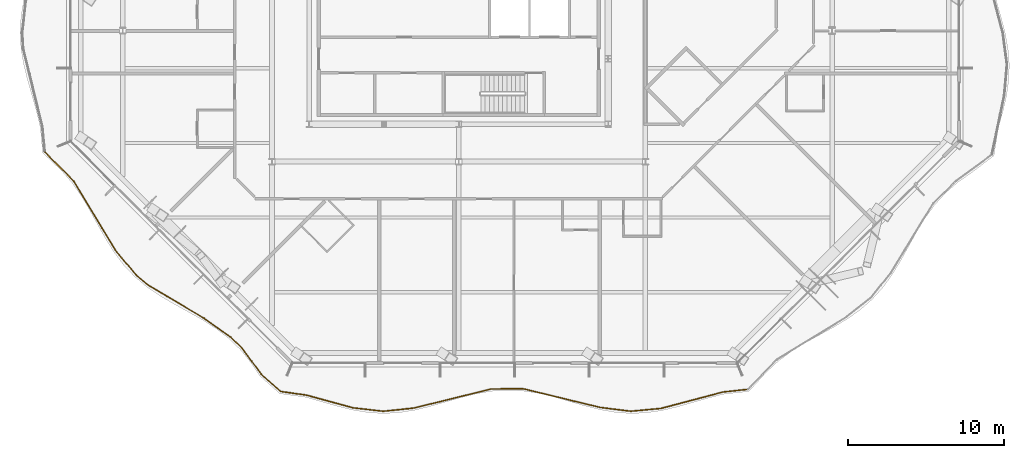
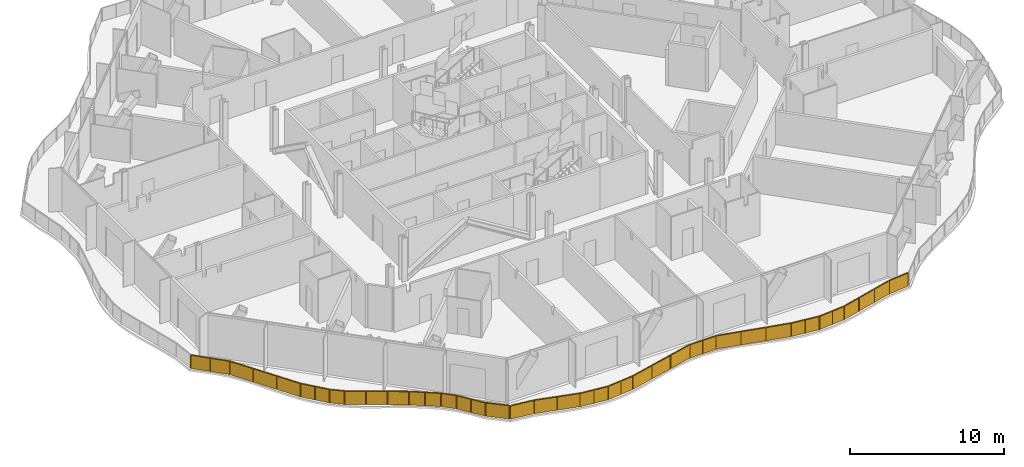
# One storey, part 14 of 19: 2 railings.
"""IFC4 building model written with IfcOpenShell, lengths in metres."""

from ifc_helpers import new_model, si_unit, direction, frame, origin, origin_2d, place, context, subcontext, project, spatial, polyline, rectangle, outline, extrude, material, type_object, element, save


model = new_model("IFC4")

# Units and contexts
model_context = context("Model", 3, precision=1e-05, world=origin(), true_north=direction((0.0, 1.0)))
body_context = subcontext(model_context, "Body", "Model", "MODEL_VIEW")
ifc_project = project(units=[si_unit("LENGTHUNIT", "METRE"), si_unit("AREAUNIT", "SQUARE_METRE"), si_unit("VOLUMEUNIT", "CUBIC_METRE"), si_unit("PLANEANGLEUNIT", "RADIAN"), si_unit("MASSUNIT", "GRAM", prefix="KILO")], contexts=[model_context])

# Site, building, storey
site_placement = place(None, origin())
site = spatial("IfcSite", under=ifc_project, at=site_placement, CompositionType="ELEMENT")
building_placement = place(site_placement, origin())
building = spatial("IfcBuilding", under=site, at=building_placement, Name="Cairn Pilgrim Tower", CompositionType="ELEMENT")
storey_placement = place(building_placement, frame((0.0, 0.0, 186.60009765625)))
storey = spatial("IfcBuildingStorey", under=building, at=storey_placement, Name="L47", CompositionType="ELEMENT", Elevation=186.60009765625)

# Railings
ifc_material = material(Name="Bronze anodised aluminium rail and posts with laminated glass infill", Category="aluminium")
railing_type = type_object("IfcRailingType", Name="BALCONY GUARD 1100", PredefinedType="GUARDRAIL", material=ifc_material)
railing_1_placement = place(storey_placement, frame((-19.402587890625, -7.773681640625, 0.0)))
element("IfcRailing", 1, at=railing_1_placement, inside=storey, type_object=railing_type, Name="Balcony guard BG-2", PredefinedType="GUARDRAIL", context=body_context, shape_type="SweptSolid", body=[
    extrude(rectangle(XDim=0.050048828125, YDim=0.050048828125, at=origin_2d()), frame((0.0, 0.0, 1.0751953125), z_axis=(0.700281137427, -0.713867164509, 0.0), x_axis=(0.713867164509, 0.700281137427, 0.0)), (0.0, 0.0, 1.0), 2.6416015625),
    extrude(rectangle(XDim=0.050048828125, YDim=0.050048828125, at=origin_2d()), frame((1.849853515625, -1.8857421875, 1.0751953125), z_axis=(0.51782328521, -0.855487606745, 0.0), x_axis=(0.855487606745, 0.51782328521, 0.0)), (0.0, 0.0, 1.0), 5.24853515625),
    extrude(rectangle(XDim=0.050048828125, YDim=0.050048828125, at=origin_2d()), frame((4.567626953125, -6.375732421875, 1.0751953125), z_axis=(0.645237285617, -0.76398222836, 0.0), x_axis=(0.76398222836, 0.645237285617, 0.0)), (0.0, 0.0, 1.0), 2.01904296875),
    extrude(rectangle(XDim=0.050048828125, YDim=0.050048828125, at=origin_2d()), frame((5.870361328125, -7.918212890625, 1.0751953125), z_axis=(0.76544431834, -0.643502133269, 0.0), x_axis=(0.643502133269, 0.76544431834, 0.0)), (0.0, 0.0, 1.0), 0.9970703125),
    extrude(rectangle(XDim=0.050048828125, YDim=0.050048828125, at=origin_2d()), frame((6.633544921875, -8.559814453125, 1.0751953125), z_axis=(0.859712653932, -0.510777987652, 0.0), x_axis=(0.510777987652, 0.859712653932, 0.0)), (0.0, 0.0, 1.0), 4.196533203125),
    extrude(rectangle(XDim=0.050048828125, YDim=0.050048828125, at=origin_2d()), frame((10.241455078125, -10.703369140625, 1.0751953125), z_axis=(0.816431804481, -0.577441866019, 0.0), x_axis=(0.577441866019, 0.816431804481, 0.0)), (0.0, 0.0, 1.0), 2.083984375),
    extrude(rectangle(XDim=0.050048828125, YDim=0.050048828125, at=origin_2d()), frame((11.94287109375, -11.90673828125, 1.0751953125), z_axis=(0.715604870645, -0.698505310724, 0.0), x_axis=(0.698505310724, 0.715604870645, 0.0)), (0.0, 0.0, 1.0), 1.042236328125),
    extrude(rectangle(XDim=0.050048828125, YDim=0.050048828125, at=origin_2d()), frame((12.688720703125, -12.634765625, 1.0751953125), z_axis=(0.592834537406, -0.8053242895, 0.0), x_axis=(0.8053242895, 0.592834537406, 0.0)), (0.0, 0.0, 1.0), 2.056640625),
    extrude(rectangle(XDim=0.050048828125, YDim=0.050048828125, at=origin_2d()), frame((13.907958984375, -14.291015625, 1.0751953125), z_axis=(0.746380813607, -0.665519106472, 0.0), x_axis=(0.665519106472, 0.746380813607, 0.0)), (0.0, 0.0, 1.0), 1.6123046875),
    extrude(rectangle(XDim=0.050048828125, YDim=0.050048828125, at=origin_2d()), origin(), (0.0, 0.0, 1.0), 1.050048828125),
    extrude(rectangle(XDim=0.050048828125, YDim=0.050048828125, at=origin_2d()), frame((0.9248046875, -0.94287109375, 0.0)), (0.0, 0.0, 1.0), 1.050048828125),
    extrude(rectangle(XDim=0.050048828125, YDim=0.050048828125, at=origin_2d()), frame((1.849853515625, -1.8857421875, 0.0)), (0.0, 0.0, 1.0), 1.050048828125),
    extrude(rectangle(XDim=0.050048828125, YDim=0.050048828125, at=origin_2d()), frame((2.755859375, -3.38232421875, 0.0)), (0.0, 0.0, 1.0), 1.050048828125),
    extrude(rectangle(XDim=0.050048828125, YDim=0.050048828125, at=origin_2d()), frame((3.66162109375, -4.879150390625, 0.0)), (0.0, 0.0, 1.0), 1.050048828125),
    extrude(rectangle(XDim=0.050048828125, YDim=0.050048828125, at=origin_2d()), frame((4.567626953125, -6.375732421875, 0.0)), (0.0, 0.0, 1.0), 1.050048828125),
    extrude(rectangle(XDim=0.050048828125, YDim=0.050048828125, at=origin_2d()), frame((5.218994140625, -7.14697265625, 0.0)), (0.0, 0.0, 1.0), 1.050048828125),
    extrude(rectangle(XDim=0.050048828125, YDim=0.050048828125, at=origin_2d()), frame((5.870361328125, -7.918212890625, 0.0)), (0.0, 0.0, 1.0), 1.050048828125),
    extrude(rectangle(XDim=0.050048828125, YDim=0.050048828125, at=origin_2d()), frame((6.633544921875, -8.559814453125, 0.0)), (0.0, 0.0, 1.0), 1.050048828125),
    extrude(rectangle(XDim=0.050048828125, YDim=0.050048828125, at=origin_2d()), frame((7.836181640625, -9.2744140625, 0.0)), (0.0, 0.0, 1.0), 1.050048828125),
    extrude(rectangle(XDim=0.050048828125, YDim=0.050048828125, at=origin_2d()), frame((9.038818359375, -9.98876953125, 0.0)), (0.0, 0.0, 1.0), 1.050048828125),
    extrude(rectangle(XDim=0.050048828125, YDim=0.050048828125, at=origin_2d()), frame((10.241455078125, -10.703369140625, 0.0)), (0.0, 0.0, 1.0), 1.050048828125),
    extrude(rectangle(XDim=0.050048828125, YDim=0.050048828125, at=origin_2d()), frame((11.09228515625, -11.30517578125, 0.0)), (0.0, 0.0, 1.0), 1.050048828125),
    extrude(rectangle(XDim=0.050048828125, YDim=0.050048828125, at=origin_2d()), frame((11.94287109375, -11.90673828125, 0.0)), (0.0, 0.0, 1.0), 1.050048828125),
    extrude(rectangle(XDim=0.050048828125, YDim=0.050048828125, at=origin_2d()), frame((12.688720703125, -12.634765625, 0.0)), (0.0, 0.0, 1.0), 1.050048828125),
    extrude(rectangle(XDim=0.050048828125, YDim=0.050048828125, at=origin_2d()), frame((13.29833984375, -13.462890625, 0.0)), (0.0, 0.0, 1.0), 1.050048828125),
    extrude(rectangle(XDim=0.050048828125, YDim=0.050048828125, at=origin_2d()), frame((13.907958984375, -14.291015625, 0.0)), (0.0, 0.0, 1.0), 1.050048828125),
    extrude(rectangle(XDim=0.050048828125, YDim=0.050048828125, at=origin_2d()), frame((15.111328125, -15.364013671875, 0.0)), (0.0, 0.0, 1.0), 1.050048828125),
    extrude(outline(polyline([(0.02490234375, 0.0), (1.295654296875, 0.0), (1.295654296875, 1.050048828125), (0.02490234375, 1.050048828125), (0.02490234375, 0.0)])), frame((0.004150390625, 0.004150390625, 0.0), z_axis=(-0.713867164509, -0.700281137427, 0.0), x_axis=(0.700281137427, -0.713867164509, 0.0)), (0.0, 0.0, 1.0), 0.011962890625),
    extrude(outline(polyline([(0.02490234375, 0.0), (1.295654296875, 0.0), (1.295654296875, 1.050048828125), (0.02490234375, 1.050048828125), (0.02490234375, 0.0)])), frame((0.92919921875, -0.938720703125, 0.0), z_axis=(-0.713867164509, -0.700281137427, 0.0), x_axis=(0.700281137427, -0.713867164509, 0.0)), (0.0, 0.0, 1.0), 0.011962890625),
    extrude(outline(polyline([(0.02490234375, 0.0), (1.724365234375, 0.0), (1.724365234375, 1.050048828125), (0.02490234375, 1.050048828125), (0.02490234375, 0.0)])), frame((1.85498046875, -1.882568359375, 0.0), z_axis=(-0.855487606745, -0.51782328521, 0.0), x_axis=(0.51782328521, -0.855487606745, 0.0)), (0.0, 0.0, 1.0), 0.011962890625),
    extrude(outline(polyline([(0.02490234375, 0.0), (1.724365234375, 0.0), (1.724365234375, 1.050048828125), (0.02490234375, 1.050048828125), (0.02490234375, 0.0)])), frame((2.760986328125, -3.37939453125, 0.0), z_axis=(-0.855487606745, -0.51782328521, 0.0), x_axis=(0.51782328521, -0.855487606745, 0.0)), (0.0, 0.0, 1.0), 0.011962890625),
    extrude(outline(polyline([(0.02490234375, 0.0), (1.724365234375, 0.0), (1.724365234375, 1.050048828125), (0.02490234375, 1.050048828125), (0.02490234375, 0.0)])), frame((3.666748046875, -4.8759765625, 0.0), z_axis=(-0.855487606745, -0.51782328521, 0.0), x_axis=(0.51782328521, -0.855487606745, 0.0)), (0.0, 0.0, 1.0), 0.011962890625),
    extrude(outline(polyline([(0.02490234375, 0.0), (0.984375, 0.0), (0.984375, 1.050048828125), (0.02490234375, 1.050048828125), (0.02490234375, 0.0)])), frame((4.572265625, -6.371826171875, 0.0), z_axis=(-0.76398222836, -0.645237285617, 0.0), x_axis=(0.645237285617, -0.76398222836, 0.0)), (0.0, 0.0, 1.0), 0.011962890625),
    extrude(outline(polyline([(0.02490234375, 0.0), (0.984375, 0.0), (0.984375, 1.050048828125), (0.02490234375, 1.050048828125), (0.02490234375, 0.0)])), frame((5.2236328125, -7.14306640625, 0.0), z_axis=(-0.76398222836, -0.645237285617, 0.0), x_axis=(0.645237285617, -0.76398222836, 0.0)), (0.0, 0.0, 1.0), 0.011962890625),
    extrude(outline(polyline([(0.02490234375, 0.0), (0.971923828125, 0.0), (0.971923828125, 1.050048828125), (0.02490234375, 1.050048828125), (0.02490234375, 0.0)])), frame((5.874267578125, -7.91357421875, 0.0), z_axis=(-0.643502133269, -0.76544431834, 0.0), x_axis=(0.76544431834, -0.643502133269, 0.0)), (0.0, 0.0, 1.0), 0.011962890625),
    extrude(outline(polyline([(0.02490234375, 0.0), (1.373779296875, 0.0), (1.373779296875, 1.050048828125), (0.02490234375, 1.050048828125), (0.02490234375, 0.0)])), frame((6.63671875, -8.5546875, 0.0), z_axis=(-0.510777987652, -0.859712653932, 0.0), x_axis=(0.859712653932, -0.510777987652, 0.0)), (0.0, 0.0, 1.0), 0.011962890625),
    extrude(outline(polyline([(0.02490234375, 0.0), (1.373779296875, 0.0), (1.373779296875, 1.050048828125), (0.02490234375, 1.050048828125), (0.02490234375, 0.0)])), frame((7.83935546875, -9.269287109375, 0.0), z_axis=(-0.510777987652, -0.859712653932, 0.0), x_axis=(0.859712653932, -0.510777987652, 0.0)), (0.0, 0.0, 1.0), 0.011962890625),
    extrude(outline(polyline([(0.02490234375, 0.0), (1.373779296875, 0.0), (1.373779296875, 1.050048828125), (0.02490234375, 1.050048828125), (0.02490234375, 0.0)])), frame((9.0419921875, -9.983642578125, 0.0), z_axis=(-0.510777987652, -0.859712653932, 0.0), x_axis=(0.859712653932, -0.510777987652, 0.0)), (0.0, 0.0, 1.0), 0.011962890625),
    extrude(outline(polyline([(0.02490234375, 0.0), (1.016845703125, 0.0), (1.016845703125, 1.050048828125), (0.02490234375, 1.050048828125), (0.02490234375, 0.0)])), frame((10.244873046875, -10.698486328125, 0.0), z_axis=(-0.577441866019, -0.816431804481, 0.0), x_axis=(0.816431804481, -0.577441866019, 0.0)), (0.0, 0.0, 1.0), 0.011962890625),
    extrude(outline(polyline([(0.02490234375, 0.0), (1.016845703125, 0.0), (1.016845703125, 1.050048828125), (0.02490234375, 1.050048828125), (0.02490234375, 0.0)])), frame((11.095703125, -11.300048828125, 0.0), z_axis=(-0.577441866019, -0.816431804481, 0.0), x_axis=(0.816431804481, -0.577441866019, 0.0)), (0.0, 0.0, 1.0), 0.011962890625),
    extrude(outline(polyline([(0.02490234375, 0.0), (1.017333984375, 0.0), (1.017333984375, 1.050048828125), (0.02490234375, 1.050048828125), (0.02490234375, 0.0)])), frame((11.947021484375, -11.90234375, 0.0), z_axis=(-0.698505310724, -0.715604870645, 0.0), x_axis=(0.715604870645, -0.698505310724, 0.0)), (0.0, 0.0, 1.0), 0.011962890625),
    extrude(outline(polyline([(0.02490234375, 0.0), (1.003173828125, 0.0), (1.003173828125, 1.050048828125), (0.02490234375, 1.050048828125), (0.02490234375, 0.0)])), frame((12.693603515625, -12.631103515625, 0.0), z_axis=(-0.8053242895, -0.592834537406, 0.0), x_axis=(0.592834537406, -0.8053242895, 0.0)), (0.0, 0.0, 1.0), 0.011962890625),
    extrude(outline(polyline([(0.02490234375, 0.0), (1.003173828125, 0.0), (1.003173828125, 1.050048828125), (0.02490234375, 1.050048828125), (0.02490234375, 0.0)])), frame((13.30322265625, -13.459228515625, 0.0), z_axis=(-0.8053242895, -0.592834537406, 0.0), x_axis=(0.592834537406, -0.8053242895, 0.0)), (0.0, 0.0, 1.0), 0.011962890625),
    extrude(outline(polyline([(0.02490234375, 0.0), (1.587158203125, 0.0), (1.587158203125, 1.050048828125), (0.02490234375, 1.050048828125), (0.02490234375, 0.0)])), frame((13.911865234375, -14.28662109375, 0.0), z_axis=(-0.665519106472, -0.746380813607, 0.0), x_axis=(0.746380813607, -0.665519106472, 0.0)), (0.0, 0.0, 1.0), 0.011962890625),
])
railing_2_placement = place(storey_placement, frame((-4.246337890625, -23.177490234375, 0.0)))
element("IfcRailing", 2, at=railing_2_placement, inside=storey, type_object=railing_type, Name="Balcony guard BG-3", PredefinedType="GUARDRAIL", context=body_context, shape_type="SweptSolid", body=[
    extrude(rectangle(XDim=0.050048828125, YDim=0.050048828125, at=origin_2d()), frame((0.0, 0.0, 1.0751953125), z_axis=(0.990133932215, -0.140124217308, 0.0), x_axis=(0.140124217308, 0.990133932215, 0.0)), (0.0, 0.0, 1.0), 1.6865234375),
    extrude(rectangle(XDim=0.050048828125, YDim=0.050048828125, at=origin_2d()), frame((1.669921875, -0.236328125, 1.0751953125), z_axis=(0.964681627046, -0.263418599267, 0.0), x_axis=(0.263418599267, 0.964681627046, 0.0)), (0.0, 0.0, 1.0), 3.086181640625),
    extrude(rectangle(XDim=0.050048828125, YDim=0.050048828125, at=origin_2d()), frame((4.647216796875, -1.04931640625, 1.0751953125), z_axis=(0.993627342822, -0.112715143601, 0.0), x_axis=(0.112715143601, 0.993627342822, 0.0)), (0.0, 0.0, 1.0), 1.970947265625),
    extrude(rectangle(XDim=0.050048828125, YDim=0.050048828125, at=origin_2d()), frame((6.605712890625, -1.271484375, 1.0751953125), z_axis=(0.994554908097, 0.104213889573, 0.0), x_axis=(-0.104213889573, 0.994554908097, 0.0)), (0.0, 0.0, 1.0), 1.97021484375),
    extrude(rectangle(XDim=0.050048828125, YDim=0.050048828125, at=origin_2d()), frame((8.565185546875, -1.066162109375, 1.0751953125), z_axis=(0.970930901457, 0.239359947769, 0.0), x_axis=(-0.239359947769, 0.970930901457, 0.0)), (0.0, 0.0, 1.0), 5.121337890625),
    extrude(rectangle(XDim=0.050048828125, YDim=0.050048828125, at=origin_2d()), frame((13.53759765625, 0.15966796875, 1.0751953125), z_axis=(0.999940988535, 0.010863675636, 0.0), x_axis=(-0.010863675636, 0.999940988535, 0.0)), (0.0, 0.0, 1.0), 2.0224609375),
    extrude(rectangle(XDim=0.050048828125, YDim=0.050048828125, at=origin_2d()), frame((15.56005859375, 0.181640625, 1.0751953125), z_axis=(0.971799460486, -0.235808839104, 0.0), x_axis=(0.235808839104, 0.971799460486, 0.0)), (0.0, 0.0, 1.0), 5.11962890625),
    extrude(rectangle(XDim=0.050048828125, YDim=0.050048828125, at=origin_2d()), frame((20.535400390625, -1.025634765625, 1.0751953125), z_axis=(0.992313934376, -0.123745931829, 0.0), x_axis=(0.123745931829, 0.992313934376, 0.0)), (0.0, 0.0, 1.0), 1.976806640625),
    extrude(rectangle(XDim=0.050048828125, YDim=0.050048828125, at=origin_2d()), frame((22.4970703125, -1.270263671875, 1.0751953125), z_axis=(0.995688155387, 0.092763663267, 0.0), x_axis=(-0.092763663267, 0.995688155387, 0.0)), (0.0, 0.0, 1.0), 1.966064453125),
    extrude(rectangle(XDim=0.050048828125, YDim=0.050048828125, at=origin_2d()), frame((24.45458984375, -1.087890625, 1.0751953125), z_axis=(0.96665678413, 0.256075499989, 0.0), x_axis=(-0.256075499989, 0.96665678413, 0.0)), (0.0, 0.0, 1.0), 4.108154296875),
    extrude(rectangle(XDim=0.050048828125, YDim=0.050048828125, at=origin_2d()), frame((28.42578125, -0.035888671875, 1.0751953125), z_axis=(0.994116936595, 0.108312124783, 0.0), x_axis=(-0.108312124783, 0.994116936595, 0.0)), (0.0, 0.0, 1.0), 1.55517578125),
    extrude(rectangle(XDim=0.050048828125, YDim=0.050048828125, at=origin_2d()), origin(), (0.0, 0.0, 1.0), 1.050048828125),
    extrude(rectangle(XDim=0.050048828125, YDim=0.050048828125, at=origin_2d()), frame((1.669921875, -0.236328125, 0.0)), (0.0, 0.0, 1.0), 1.050048828125),
    extrude(rectangle(XDim=0.050048828125, YDim=0.050048828125, at=origin_2d()), frame((3.15869140625, -0.642822265625, 0.0)), (0.0, 0.0, 1.0), 1.050048828125),
    extrude(rectangle(XDim=0.050048828125, YDim=0.050048828125, at=origin_2d()), frame((4.647216796875, -1.04931640625, 0.0)), (0.0, 0.0, 1.0), 1.050048828125),
    extrude(rectangle(XDim=0.050048828125, YDim=0.050048828125, at=origin_2d()), frame((5.62646484375, -1.160400390625, 0.0)), (0.0, 0.0, 1.0), 1.050048828125),
    extrude(rectangle(XDim=0.050048828125, YDim=0.050048828125, at=origin_2d()), frame((6.605712890625, -1.271484375, 0.0)), (0.0, 0.0, 1.0), 1.050048828125),
    extrude(rectangle(XDim=0.050048828125, YDim=0.050048828125, at=origin_2d()), frame((7.58544921875, -1.1689453125, 0.0)), (0.0, 0.0, 1.0), 1.050048828125),
    extrude(rectangle(XDim=0.050048828125, YDim=0.050048828125, at=origin_2d()), frame((8.565185546875, -1.066162109375, 0.0)), (0.0, 0.0, 1.0), 1.050048828125),
    extrude(rectangle(XDim=0.050048828125, YDim=0.050048828125, at=origin_2d()), frame((10.22265625, -0.657470703125, 0.0)), (0.0, 0.0, 1.0), 1.050048828125),
    extrude(rectangle(XDim=0.050048828125, YDim=0.050048828125, at=origin_2d()), frame((11.880126953125, -0.2490234375, 0.0)), (0.0, 0.0, 1.0), 1.050048828125),
    extrude(rectangle(XDim=0.050048828125, YDim=0.050048828125, at=origin_2d()), frame((13.53759765625, 0.15966796875, 0.0)), (0.0, 0.0, 1.0), 1.050048828125),
    extrude(rectangle(XDim=0.050048828125, YDim=0.050048828125, at=origin_2d()), frame((14.548828125, 0.170654296875, 0.0)), (0.0, 0.0, 1.0), 1.050048828125),
    extrude(rectangle(XDim=0.050048828125, YDim=0.050048828125, at=origin_2d()), frame((15.56005859375, 0.181640625, 0.0)), (0.0, 0.0, 1.0), 1.050048828125),
    extrude(rectangle(XDim=0.050048828125, YDim=0.050048828125, at=origin_2d()), frame((17.218505859375, -0.220703125, 0.0)), (0.0, 0.0, 1.0), 1.050048828125),
    extrude(rectangle(XDim=0.050048828125, YDim=0.050048828125, at=origin_2d()), frame((18.876953125, -0.623291015625, 0.0)), (0.0, 0.0, 1.0), 1.050048828125),
    extrude(rectangle(XDim=0.050048828125, YDim=0.050048828125, at=origin_2d()), frame((20.535400390625, -1.025634765625, 0.0)), (0.0, 0.0, 1.0), 1.050048828125),
    extrude(rectangle(XDim=0.050048828125, YDim=0.050048828125, at=origin_2d()), frame((21.51611328125, -1.14794921875, 0.0)), (0.0, 0.0, 1.0), 1.050048828125),
    extrude(rectangle(XDim=0.050048828125, YDim=0.050048828125, at=origin_2d()), frame((22.4970703125, -1.270263671875, 0.0)), (0.0, 0.0, 1.0), 1.050048828125),
    extrude(rectangle(XDim=0.050048828125, YDim=0.050048828125, at=origin_2d()), frame((23.475830078125, -1.17919921875, 0.0)), (0.0, 0.0, 1.0), 1.050048828125),
    extrude(rectangle(XDim=0.050048828125, YDim=0.050048828125, at=origin_2d()), frame((24.45458984375, -1.087890625, 0.0)), (0.0, 0.0, 1.0), 1.050048828125),
    extrude(rectangle(XDim=0.050048828125, YDim=0.050048828125, at=origin_2d()), frame((25.7783203125, -0.7373046875, 0.0)), (0.0, 0.0, 1.0), 1.050048828125),
    extrude(rectangle(XDim=0.050048828125, YDim=0.050048828125, at=origin_2d()), frame((27.10205078125, -0.386474609375, 0.0)), (0.0, 0.0, 1.0), 1.050048828125),
    extrude(rectangle(XDim=0.050048828125, YDim=0.050048828125, at=origin_2d()), frame((28.42578125, -0.035888671875, 0.0)), (0.0, 0.0, 1.0), 1.050048828125),
    extrude(rectangle(XDim=0.050048828125, YDim=0.050048828125, at=origin_2d()), frame((29.971923828125, 0.132568359375, 0.0)), (0.0, 0.0, 1.0), 1.050048828125),
    extrude(outline(polyline([(0.02490234375, 0.0), (1.66162109375, 0.0), (1.66162109375, 1.050048828125), (0.02490234375, 1.050048828125), (0.02490234375, 0.0)])), frame((0.000732421875, 0.005859375, 0.0), z_axis=(-0.140124217308, -0.990133932215, 0.0), x_axis=(0.990133932215, -0.140124217308, 0.0)), (0.0, 0.0, 1.0), 0.011962890625),
    extrude(outline(polyline([(0.02490234375, 0.0), (1.51806640625, 0.0), (1.51806640625, 1.050048828125), (0.02490234375, 1.050048828125), (0.02490234375, 0.0)])), frame((1.67138671875, -0.23046875, 0.0), z_axis=(-0.263418599267, -0.964681627046, 0.0), x_axis=(0.964681627046, -0.263418599267, 0.0)), (0.0, 0.0, 1.0), 0.011962890625),
    extrude(outline(polyline([(0.02490234375, 0.0), (1.51806640625, 0.0), (1.51806640625, 1.050048828125), (0.02490234375, 1.050048828125), (0.02490234375, 0.0)])), frame((3.16015625, -0.636962890625, 0.0), z_axis=(-0.263418599267, -0.964681627046, 0.0), x_axis=(0.964681627046, -0.263418599267, 0.0)), (0.0, 0.0, 1.0), 0.011962890625),
    extrude(outline(polyline([(0.02490234375, 0.0), (0.96044921875, 0.0), (0.96044921875, 1.050048828125), (0.02490234375, 1.050048828125), (0.02490234375, 0.0)])), frame((4.64794921875, -1.04345703125, 0.0), z_axis=(-0.112715143601, -0.993627342822, 0.0), x_axis=(0.993627342822, -0.112715143601, 0.0)), (0.0, 0.0, 1.0), 0.011962890625),
    extrude(outline(polyline([(0.02490234375, 0.0), (0.96044921875, 0.0), (0.96044921875, 1.050048828125), (0.02490234375, 1.050048828125), (0.02490234375, 0.0)])), frame((5.627197265625, -1.154541015625, 0.0), z_axis=(-0.112715143601, -0.993627342822, 0.0), x_axis=(0.993627342822, -0.112715143601, 0.0)), (0.0, 0.0, 1.0), 0.011962890625),
    extrude(outline(polyline([(0.02490234375, 0.0), (0.9599609375, 0.0), (0.9599609375, 1.050048828125), (0.02490234375, 1.050048828125), (0.02490234375, 0.0)])), frame((6.60498046875, -1.265625, 0.0), z_axis=(0.104213889573, -0.994554908097, 0.0), x_axis=(0.994554908097, 0.104213889573, 0.0)), (0.0, 0.0, 1.0), 0.011962890625),
    extrude(outline(polyline([(0.02490234375, 0.0), (0.9599609375, 0.0), (0.9599609375, 1.050048828125), (0.02490234375, 1.050048828125), (0.02490234375, 0.0)])), frame((7.584716796875, -1.162841796875, 0.0), z_axis=(0.104213889573, -0.994554908097, 0.0), x_axis=(0.994554908097, 0.104213889573, 0.0)), (0.0, 0.0, 1.0), 0.011962890625),
    extrude(outline(polyline([(0.02490234375, 0.0), (1.68212890625, 0.0), (1.68212890625, 1.050048828125), (0.02490234375, 1.050048828125), (0.02490234375, 0.0)])), frame((8.563720703125, -1.060302734375, 0.0), z_axis=(0.239359947769, -0.970930901457, 0.0), x_axis=(0.970930901457, 0.239359947769, 0.0)), (0.0, 0.0, 1.0), 0.011962890625),
    extrude(outline(polyline([(0.02490234375, 0.0), (1.68212890625, 0.0), (1.68212890625, 1.050048828125), (0.02490234375, 1.050048828125), (0.02490234375, 0.0)])), frame((10.22119140625, -0.65185546875, 0.0), z_axis=(0.239359947769, -0.970930901457, 0.0), x_axis=(0.970930901457, 0.239359947769, 0.0)), (0.0, 0.0, 1.0), 0.011962890625),
    extrude(outline(polyline([(0.02490234375, 0.0), (1.68212890625, 0.0), (1.68212890625, 1.050048828125), (0.02490234375, 1.050048828125), (0.02490234375, 0.0)])), frame((11.878662109375, -0.2431640625, 0.0), z_axis=(0.239359947769, -0.970930901457, 0.0), x_axis=(0.970930901457, 0.239359947769, 0.0)), (0.0, 0.0, 1.0), 0.011962890625),
    extrude(outline(polyline([(0.02490234375, 0.0), (0.986328125, 0.0), (0.986328125, 1.050048828125), (0.02490234375, 1.050048828125), (0.02490234375, 0.0)])), frame((13.53759765625, 0.16552734375, 0.0), z_axis=(0.010863675636, -0.999940988535, 0.0), x_axis=(0.999940988535, 0.010863675636, 0.0)), (0.0, 0.0, 1.0), 0.011962890625),
    extrude(outline(polyline([(0.02490234375, 0.0), (0.986328125, 0.0), (0.986328125, 1.050048828125), (0.02490234375, 1.050048828125), (0.02490234375, 0.0)])), frame((14.548828125, 0.176513671875, 0.0), z_axis=(0.010863675636, -0.999940988535, 0.0), x_axis=(0.999940988535, 0.010863675636, 0.0)), (0.0, 0.0, 1.0), 0.011962890625),
    extrude(outline(polyline([(0.02490234375, 0.0), (1.681640625, 0.0), (1.681640625, 1.050048828125), (0.02490234375, 1.050048828125), (0.02490234375, 0.0)])), frame((15.5615234375, 0.1875, 0.0), z_axis=(-0.235808839104, -0.971799460486, 0.0), x_axis=(0.971799460486, -0.235808839104, 0.0)), (0.0, 0.0, 1.0), 0.011962890625),
    extrude(outline(polyline([(0.02490234375, 0.0), (1.681640625, 0.0), (1.681640625, 1.050048828125), (0.02490234375, 1.050048828125), (0.02490234375, 0.0)])), frame((17.219970703125, -0.215087890625, 0.0), z_axis=(-0.235808839104, -0.971799460486, 0.0), x_axis=(0.971799460486, -0.235808839104, 0.0)), (0.0, 0.0, 1.0), 0.011962890625),
    extrude(outline(polyline([(0.02490234375, 0.0), (1.681640625, 0.0), (1.681640625, 1.050048828125), (0.02490234375, 1.050048828125), (0.02490234375, 0.0)])), frame((18.87841796875, -0.617431640625, 0.0), z_axis=(-0.235808839104, -0.971799460486, 0.0), x_axis=(0.971799460486, -0.235808839104, 0.0)), (0.0, 0.0, 1.0), 0.011962890625),
    extrude(outline(polyline([(0.02490234375, 0.0), (0.96337890625, 0.0), (0.96337890625, 1.050048828125), (0.02490234375, 1.050048828125), (0.02490234375, 0.0)])), frame((20.5361328125, -1.019775390625, 0.0), z_axis=(-0.123745931829, -0.992313934376, 0.0), x_axis=(0.992313934376, -0.123745931829, 0.0)), (0.0, 0.0, 1.0), 0.011962890625),
    extrude(outline(polyline([(0.02490234375, 0.0), (0.96337890625, 0.0), (0.96337890625, 1.050048828125), (0.02490234375, 1.050048828125), (0.02490234375, 0.0)])), frame((21.51708984375, -1.14208984375, 0.0), z_axis=(-0.123745931829, -0.992313934376, 0.0), x_axis=(0.992313934376, -0.123745931829, 0.0)), (0.0, 0.0, 1.0), 0.011962890625),
    extrude(outline(polyline([(0.02490234375, 0.0), (0.9580078125, 0.0), (0.9580078125, 1.050048828125), (0.02490234375, 1.050048828125), (0.02490234375, 0.0)])), frame((22.49658203125, -1.264404296875, 0.0), z_axis=(0.092763663267, -0.995688155387, 0.0), x_axis=(0.995688155387, 0.092763663267, 0.0)), (0.0, 0.0, 1.0), 0.011962890625),
    extrude(outline(polyline([(0.02490234375, 0.0), (0.9580078125, 0.0), (0.9580078125, 1.050048828125), (0.02490234375, 1.050048828125), (0.02490234375, 0.0)])), frame((23.475341796875, -1.173095703125, 0.0), z_axis=(0.092763663267, -0.995688155387, 0.0), x_axis=(0.995688155387, 0.092763663267, 0.0)), (0.0, 0.0, 1.0), 0.011962890625),
    extrude(outline(polyline([(0.02490234375, 0.0), (1.344482421875, 0.0), (1.344482421875, 1.050048828125), (0.02490234375, 1.050048828125), (0.02490234375, 0.0)])), frame((24.453125, -1.08203125, 0.0), z_axis=(0.256075499989, -0.96665678413, 0.0), x_axis=(0.96665678413, 0.256075499989, 0.0)), (0.0, 0.0, 1.0), 0.011962890625),
    extrude(outline(polyline([(0.02490234375, 0.0), (1.344482421875, 0.0), (1.344482421875, 1.050048828125), (0.02490234375, 1.050048828125), (0.02490234375, 0.0)])), frame((25.77685546875, -0.7314453125, 0.0), z_axis=(0.256075499989, -0.96665678413, 0.0), x_axis=(0.96665678413, 0.256075499989, 0.0)), (0.0, 0.0, 1.0), 0.011962890625),
    extrude(outline(polyline([(0.02490234375, 0.0), (1.344482421875, 0.0), (1.344482421875, 1.050048828125), (0.02490234375, 1.050048828125), (0.02490234375, 0.0)])), frame((27.1005859375, -0.380859375, 0.0), z_axis=(0.256075499989, -0.96665678413, 0.0), x_axis=(0.96665678413, 0.256075499989, 0.0)), (0.0, 0.0, 1.0), 0.011962890625),
    extrude(outline(polyline([(0.02490234375, 0.0), (1.5302734375, 0.0), (1.5302734375, 1.050048828125), (0.02490234375, 1.050048828125), (0.02490234375, 0.0)])), frame((28.425048828125, -0.030029296875, 0.0), z_axis=(0.108312124783, -0.994116936595, 0.0), x_axis=(0.994116936595, 0.108312124783, 0.0)), (0.0, 0.0, 1.0), 0.011962890625),
])

save(model, "model.ifc")
